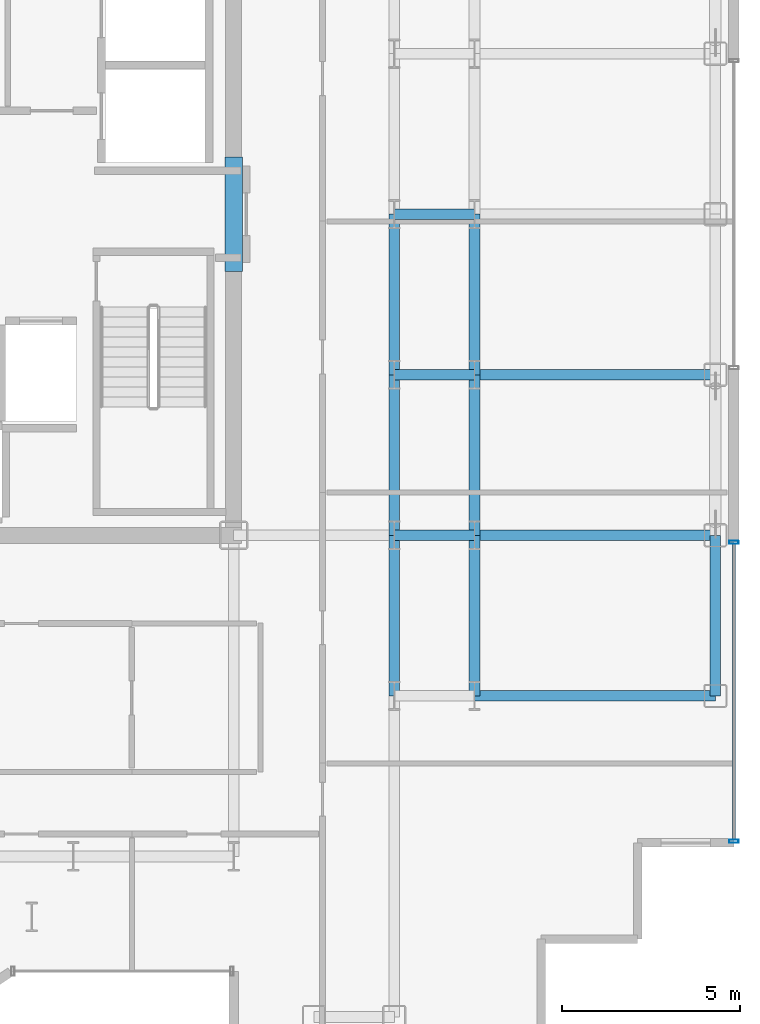
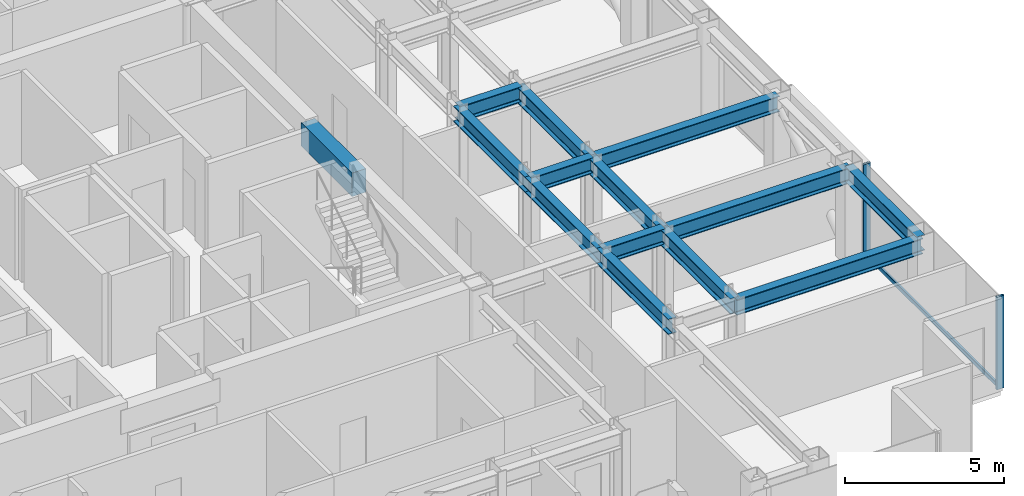
# One storey, part 7 of 21: 14 beams, 3 members, 1 element without a shape of its own.
"""IFC4 building model written with IfcOpenShell, lengths in metres."""

from ifc_helpers import new_model, si_unit, direction, frame, origin, origin_2d, place, context, subcontext, project, spatial, rectangle, hollow_rectangle, i_section, extrude, source, transform, mapped, material, layer, layer_set, material_profile, profile_set, type_object, element, aggregate, save


model = new_model("IFC4")

# Units and contexts
model_context = context("Model", 3, precision=1e-05, world=origin(), true_north=direction((0.0, 1.0)))
body_context = subcontext(model_context, "Body", "Model", "MODEL_VIEW")
ifc_project = project(units=[si_unit("LENGTHUNIT", "METRE"), si_unit("AREAUNIT", "SQUARE_METRE"), si_unit("VOLUMEUNIT", "CUBIC_METRE"), si_unit("PLANEANGLEUNIT", "RADIAN"), si_unit("MASSUNIT", "GRAM", prefix="KILO")], contexts=[model_context])

# Site, building, storey
site_placement = place(None, origin())
site = spatial("IfcSite", under=ifc_project, at=site_placement, CompositionType="ELEMENT")
building_placement = place(site_placement, origin())
building = spatial("IfcBuilding", under=site, at=building_placement, Name="Nefas-Gora Pilgrimage Tower", CompositionType="ELEMENT")
storey_placement = place(building_placement, frame((0.0, 0.0, 229.39990234375)))
storey = spatial("IfcBuildingStorey", under=building, at=storey_placement, Name="L57", CompositionType="ELEMENT", Elevation=229.39990234375)

# Beams
ifc_material_1 = material(Name="Concrete C50/60", Category="concrete")
ifc_material_profile_1 = material_profile(ifc_material_1, rectangle(XDim=0.5, YDim=0.89990234375, at=origin_2d()), Name="RC 500x900")
ifc_profile_set_1 = profile_set([ifc_material_profile_1], Name="Concrete C50/60")
beam_type_1 = type_object("IfcBeamType", Name="BM-LIN-RC900", PredefinedType="LINTEL", material=ifc_profile_set_1)
shared_shape_1 = source(origin(), body_context, "Body", "SweptSolid", [
    extrude(rectangle(XDim=0.5, YDim=0.89990234375, at=origin_2d()), origin(), (0.0, 0.0, 1.0), 3.2001953125),
])
beam_1_placement = place(storey_placement, frame((11.25, -1.60009765625, 3.10009765625), z_axis=(0.0, 1.0, 0.0), x_axis=(-1.0, 0.0, 0.0)))
element("IfcBeam", 1, at=beam_1_placement, inside=storey, type_object=beam_type_1, Name="L57 Core Coupling Lintel Beam E", PredefinedType="LINTEL", context=body_context, shape_type="MappedRepresentation", body=[
    mapped(shared_shape_1, transform((0.0, 0.0, 0.0), x_axis=(1.0, 0.0, 0.0), y_axis=(0.0, 1.0, 0.0), z_axis=(0.0, 0.0, 1.0), scale=1.0)),
])
ifc_material_2 = material(Name="Steel S355", Category="steel")
ifc_material_profile_2 = material_profile(ifc_material_2, i_section(OverallWidth=0.300048828125, OverallDepth=0.60009765625, WebThickness=0.015380859375, FlangeThickness=0.030029296875, FilletRadius=0.027099609375, at=origin_2d()), Name="HEB 600")
ifc_profile_set_2 = profile_set([ifc_material_profile_2], Name="Steel S355")
beam_type_2 = type_object("IfcBeamType", Name="BM-SPN-HEB450", PredefinedType="SPANDREL", material=ifc_profile_set_2)
shared_shape_2 = source(origin(), body_context, "Body", "SweptSolid", [
    extrude(i_section(OverallWidth=0.300048828125, OverallDepth=0.60009765625, WebThickness=0.015380859375, FlangeThickness=0.030029296875, FilletRadius=0.027099609375, at=origin_2d()), origin(), (0.0, 0.0, 1.0), 4.5),
])
beam_2_placement = place(storey_placement, frame((24.75, -13.5, 3.25), z_axis=(0.0, 1.0, 0.0), x_axis=(-1.0, 0.0, 0.0)))
element("IfcBeam", 2, at=beam_2_placement, inside=storey, type_object=beam_type_2, Name="L57 SP-03 beam", PredefinedType="SPANDREL", context=body_context, shape_type="MappedRepresentation", body=[
    mapped(shared_shape_2, transform((0.0, 0.0, 0.0), x_axis=(1.0, 0.0, 0.0), y_axis=(0.0, 1.0, 0.0), z_axis=(0.0, 0.0, 1.0), scale=1.0)),
])
ifc_material_profile_3 = material_profile(ifc_material_2, i_section(OverallWidth=0.300048828125, OverallDepth=0.60009765625, WebThickness=0.015380859375, FlangeThickness=0.030029296875, FilletRadius=0.027099609375, at=origin_2d()), Name="HEB 600")
ifc_profile_set_3 = profile_set([ifc_material_profile_3], Name="Steel S355")
beam_type_3 = type_object("IfcBeamType", Name="BM-GIR-HEB600", PredefinedType="BEAM", material=ifc_profile_set_3)
shared_shape_3 = source(origin(), body_context, "Body", "SweptSolid", [
    extrude(i_section(OverallWidth=0.300048828125, OverallDepth=0.60009765625, WebThickness=0.015380859375, FlangeThickness=0.030029296875, FilletRadius=0.027099609375, at=origin_2d()), origin(), (0.0, 0.0, 1.0), 4.5),
])
for number, where, z_axis, x_axis, name in (
    (3, (15.75, -13.5, 3.25), (0.0, 1.0, 0.0), (-1.0, 0.0, 0.0), "L57 G-04 beam"),
    (4, (15.75, -9.0, 3.25), (0.0, 1.0, 0.0), (-1.0, 0.0, 0.0), "L57 G-04 beam"),
    (5, (15.75, -4.5, 3.25), (0.0, 1.0, 0.0), (-1.0, 0.0, 0.0), "L57 G-04 beam"),
    (6, (18.0, -13.5, 3.25), (0.0, 1.0, 0.0), (-1.0, 0.0, 0.0), "L57 G-04 beam"),
    (7, (18.0, -9.0, 3.25), (0.0, 1.0, 0.0), (-1.0, 0.0, 0.0), "L57 G-04 beam"),
    (8, (18.0, -4.5, 3.25), (0.0, 1.0, 0.0), (-1.0, 0.0, 0.0), "L57 G-04 beam"),
):
    element("IfcBeam", number, at=place(storey_placement, frame(where, z_axis=z_axis, x_axis=x_axis)), inside=storey, type_object=beam_type_3, Name=name, PredefinedType="BEAM", context=body_context, shape_type="MappedRepresentation", body=[
        mapped(shared_shape_3, transform((0.0, 0.0, 0.0), x_axis=(1.0, 0.0, 0.0), y_axis=(0.0, 1.0, 0.0), z_axis=(0.0, 0.0, 1.0), scale=1.0)),
    ])
shared_shape_4 = source(origin(), body_context, "Body", "SweptSolid", [
    extrude(i_section(OverallWidth=0.300048828125, OverallDepth=0.60009765625, WebThickness=0.015380859375, FlangeThickness=0.030029296875, FilletRadius=0.027099609375, at=origin_2d()), origin(), (0.0, 0.0, 1.0), 6.75),
])
for number, where, z_axis, x_axis, name in (
    (9, (18.0, -13.5, 3.25), (1.0, 0.0, 0.0), (0.0, 1.0, 0.0), "L57 G-04 beam"),
    (10, (18.0, -9.0, 3.25), (1.0, 0.0, 0.0), (0.0, 1.0, 0.0), "L57 G-04 beam"),
    (11, (18.0, -4.5, 3.25), (1.0, 0.0, 0.0), (0.0, 1.0, 0.0), "L57 G-04 beam"),
):
    element("IfcBeam", number, at=place(storey_placement, frame(where, z_axis=z_axis, x_axis=x_axis)), inside=storey, type_object=beam_type_3, Name=name, PredefinedType="BEAM", context=body_context, shape_type="MappedRepresentation", body=[
        mapped(shared_shape_4, transform((0.0, 0.0, 0.0), x_axis=(1.0, 0.0, 0.0), y_axis=(0.0, 1.0, 0.0), z_axis=(0.0, 0.0, 1.0), scale=1.0)),
    ])
shared_shape_5 = source(origin(), body_context, "Body", "SweptSolid", [
    extrude(i_section(OverallWidth=0.300048828125, OverallDepth=0.60009765625, WebThickness=0.015380859375, FlangeThickness=0.030029296875, FilletRadius=0.027099609375, at=origin_2d()), origin(), (0.0, 0.0, 1.0), 2.25),
])
for number, where, z_axis, x_axis, name in (
    (12, (15.75, -9.0, 3.25), (1.0, 0.0, 0.0), (0.0, 1.0, 0.0), "L57 G-04 beam"),
    (13, (15.75, -4.5, 3.25), (1.0, 0.0, 0.0), (0.0, 1.0, 0.0), "L57 G-04 beam"),
    (14, (15.75, 0.0, 3.25), (1.0, 0.0, 0.0), (0.0, 1.0, 0.0), "L57 G-04 beam"),
):
    element("IfcBeam", number, at=place(storey_placement, frame(where, z_axis=z_axis, x_axis=x_axis)), inside=storey, type_object=beam_type_3, Name=name, PredefinedType="BEAM", context=body_context, shape_type="MappedRepresentation", body=[
        mapped(shared_shape_5, transform((0.0, 0.0, 0.0), x_axis=(1.0, 0.0, 0.0), y_axis=(0.0, 1.0, 0.0), z_axis=(0.0, 0.0, 1.0), scale=1.0)),
    ])

# Curtain wall, members
ifc_material_3 = material(Name="Dark ceramic-fritted solar-control aluminium-glass curtain wall", Category="aluminium")
ifc_layer = layer(ifc_material_3, 0.219970703125)
ifc_layer_set = layer_set([ifc_layer], Name="Dark ceramic-fritted solar-control aluminium-glass curtain wall")
curtain_wall_type = type_object("IfcCurtainWallType", Name="CW-SYS-3", PredefinedType="NOTDEFINED", material=ifc_layer_set)
curtain_wall_placement = place(storey_placement, origin())
curtain_wall = element("IfcCurtainWall", 15, at=curtain_wall_placement, inside=storey, type_object=curtain_wall_type, Name="L57 Unitised Curtain Wall CW3", PredefinedType="NOTDEFINED")
ifc_material_4 = material(Name="Anodised architectural aluminium", Category="aluminium")
ifc_material_profile_4 = material_profile(ifc_material_4, hollow_rectangle(XDim=0.090087890625, YDim=0.260009765625, WallThickness=0.006103515625, InnerFilletRadius=0.006103515625, OuterFilletRadius=0.011962890625, at=origin_2d()), Name="ALU MULLION 90x260")
ifc_profile_set_4 = profile_set([ifc_material_profile_4], Name="Anodised architectural aluminium")
member_type_1 = type_object("IfcMemberType", Name="CWM-MUL-3", PredefinedType="MULLION", material=ifc_profile_set_4)
shared_shape_6 = source(origin(), body_context, "Body", "SweptSolid", [
    extrude(hollow_rectangle(XDim=0.090087890625, YDim=0.260009765625, WallThickness=0.006103515625, InnerFilletRadius=0.006103515625, OuterFilletRadius=0.011962890625, at=origin_2d()), origin(), (0.0, 0.0, 1.0), 3.550048828125),
])
member_1_placement = place(storey_placement, frame((25.27001953125, -17.574951171875, 0.0), z_axis=(0.0, 0.0, 1.0), x_axis=(0.0, 1.0, 0.0)))
member_1 = element("IfcMember", 16, at=member_1_placement, type_object=member_type_1, Name="CW3 Mullion 1", PredefinedType="MULLION", context=body_context, shape_type="MappedRepresentation", body=[
    mapped(shared_shape_6, transform((0.0, 0.0, 0.0), x_axis=(1.0, 0.0, 0.0), y_axis=(0.0, 1.0, 0.0), z_axis=(0.0, 0.0, 1.0), scale=1.0)),
])
member_2_placement = place(storey_placement, frame((25.27001953125, -9.195068359375, 0.0), z_axis=(0.0, 0.0, 1.0), x_axis=(0.0, 1.0, 0.0)))
member_2 = element("IfcMember", 17, at=member_2_placement, type_object=member_type_1, Name="CW3 Mullion 2", PredefinedType="MULLION", context=body_context, shape_type="MappedRepresentation", body=[
    mapped(shared_shape_6, transform((0.0, 0.0, 0.0), x_axis=(1.0, 0.0, 0.0), y_axis=(0.0, 1.0, 0.0), z_axis=(0.0, 0.0, 1.0), scale=1.0)),
])
ifc_material_profile_5 = material_profile(ifc_material_4, hollow_rectangle(XDim=0.080078125, YDim=0.159912109375, WallThickness=0.00439453125, InnerFilletRadius=0.00439453125, OuterFilletRadius=0.009033203125, at=origin_2d()), Name="ALU TRANSOM 80x160")
ifc_profile_set_5 = profile_set([ifc_material_profile_5], Name="Anodised architectural aluminium")
member_type_2 = type_object("IfcMemberType", Name="CWM-TRN-3", PredefinedType="USERDEFINED", material=ifc_profile_set_5)
shared_shape_7 = source(origin(), body_context, "Body", "SweptSolid", [
    extrude(hollow_rectangle(XDim=0.080078125, YDim=0.159912109375, WallThickness=0.00439453125, InnerFilletRadius=0.00439453125, OuterFilletRadius=0.009033203125, at=origin_2d()), origin(), (0.0, 0.0, 1.0), 8.2900390625),
])
member_3_placement = place(storey_placement, frame((25.27001953125, -17.530029296875, 0.050048828125), z_axis=(0.0, 1.0, 0.0), x_axis=(-1.0, 0.0, 0.0)))
member_3 = element("IfcMember", 18, at=member_3_placement, type_object=member_type_2, Name="CW3 Spandrel Transom", ObjectType="TRANSOM", PredefinedType="USERDEFINED", context=body_context, shape_type="MappedRepresentation", body=[
    mapped(shared_shape_7, transform((0.0, 0.0, 0.0), x_axis=(1.0, 0.0, 0.0), y_axis=(0.0, 1.0, 0.0), z_axis=(0.0, 0.0, 1.0), scale=1.0)),
])
aggregate(curtain_wall, [member_1, member_2, member_3])

save(model, "model.ifc")
